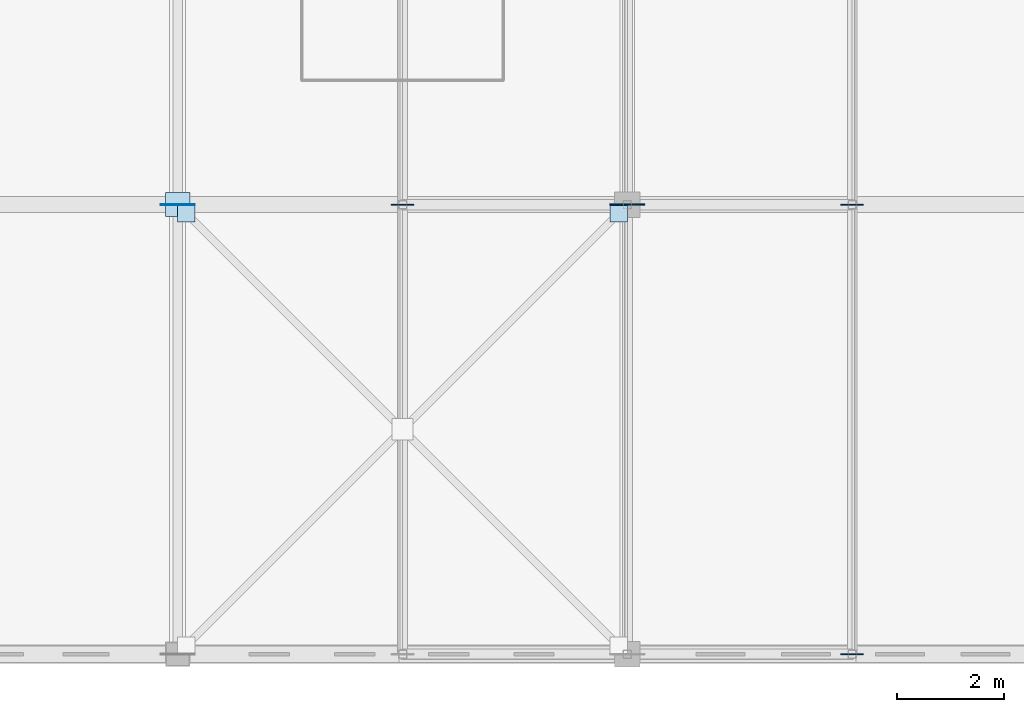
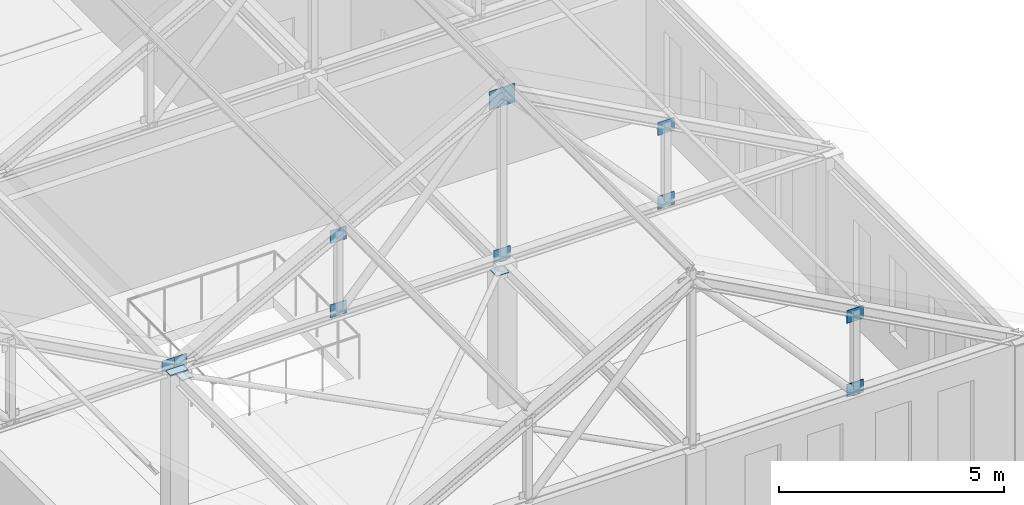
# One storey, part 19 of 36: 13 plates.
"""IFC4 building model written with IfcOpenShell, lengths in metres."""

from ifc_helpers import new_model, si_unit, direction, frame, origin, origin_2d, place, context, subcontext, project, spatial, rectangle, extrude, material, layer, layer_set, type_object, element, save


model = new_model("IFC4")

# Units and contexts
model_context = context("Model", 3, precision=1e-05, world=origin(), true_north=direction((0.0, 1.0)))
body_context = subcontext(model_context, "Body", "Model", "MODEL_VIEW")
ifc_project = project(units=[si_unit("LENGTHUNIT", "METRE"), si_unit("AREAUNIT", "SQUARE_METRE"), si_unit("VOLUMEUNIT", "CUBIC_METRE"), si_unit("PLANEANGLEUNIT", "RADIAN"), si_unit("MASSUNIT", "GRAM", prefix="KILO")], contexts=[model_context])

# Site, building, storey
site_placement = place(None, origin())
site = spatial("IfcSite", under=ifc_project, at=site_placement, CompositionType="ELEMENT")
building_placement = place(site_placement, origin())
building = spatial("IfcBuilding", under=site, at=building_placement, Name="Kveldsbrygga Polytechnic", CompositionType="ELEMENT")
storey_placement = place(building_placement, frame((0.0, 0.0, 26.179931640625)))
storey = spatial("IfcBuildingStorey", under=building, at=storey_placement, Name="L06", CompositionType="ELEMENT", Elevation=26.179931640625)

# Plates
ifc_material = material(Name="Steel S355", Category="steel")
ifc_layer_1 = layer(ifc_material, 0.030029296875)
ifc_layer_set_1 = layer_set([ifc_layer_1], Name="Steel S355")
plate_type_1 = type_object("IfcPlateType", Name="CAP-BEAR-450", PredefinedType="SHEET", material=ifc_layer_set_1)
plate_1_placement = place(storey_placement, frame((142.800048828125, 25.199951171875, 3.81005859375), z_axis=(0.0, 0.0, 1.0), x_axis=(1.0, 0.0, 0.0)))
element("IfcPlate", 1, at=plate_1_placement, inside=storey, type_object=plate_type_1, Name="Truss Bearing Plate V4M1-T02-B", PredefinedType="SHEET", context=body_context, shape_type="SweptSolid", body=[
    extrude(rectangle(XDim=0.449951171875, YDim=0.449951171875, at=origin_2d()), origin(), (0.0, 0.0, 1.0), 0.030029296875),
])
ifc_layer_2 = layer(ifc_material, 0.02490234375)
ifc_layer_set_2 = layer_set([ifc_layer_2], Name="Steel S355")
plate_type_2 = type_object("IfcPlateType", Name="GUS-APEX-650", PredefinedType="SHEET", material=ifc_layer_set_2)
plate_2_placement = place(storey_placement, frame((151.199951171875, 25.199951171875, 7.989990234375), z_axis=(0.0, 0.0, 1.0), x_axis=(1.0, 0.0, 0.0)))
element("IfcPlate", 2, at=plate_2_placement, inside=storey, type_object=plate_type_2, Name="Truss Gusset Plate V4M2-T02-GP-2", PredefinedType="SHEET", context=body_context, shape_type="SweptSolid", body=[
    extrude(rectangle(XDim=0.64990234375, YDim=0.02490234375, at=origin_2d()), origin(), (0.0, 0.0, 1.0), 0.5),
])
ifc_layer_3 = layer(ifc_material, 0.01806640625)
ifc_layer_set_3 = layer_set([ifc_layer_3], Name="Steel S355")
plate_type_3 = type_object("IfcPlateType", Name="GUS-BRACE-320", PredefinedType="SHEET", material=ifc_layer_set_3)
for number, where, z_axis, x_axis, name in (
    (3, (142.639892578125, 25.199951171875, 3.7998046875), (0.0, 0.0, 1.0), (1.0, 0.0, 0.0), "Truss Eaves Node Gusset V4M1-T02-EGP-B"),
    (4, (142.9599609375, 25.199951171875, 3.7998046875), (0.0, 0.0, 1.0), (1.0, 0.0, 0.0), "Truss Eaves Node Gusset V4M2-T02-EGP-A"),
):
    element("IfcPlate", number, at=place(storey_placement, frame(where, z_axis=z_axis, x_axis=x_axis)), inside=storey, type_object=plate_type_3, Name=name, PredefinedType="SHEET", context=body_context, shape_type="SweptSolid", body=[
        extrude(rectangle(XDim=0.320068359375, YDim=0.01806640625, at=origin_2d()), origin(), (0.0, 0.0, 1.0), 0.320068359375),
    ])
for number, where, z_axis, x_axis, name in (
    (5, (151.0400390625, 25.0400390625, 3.6611328125), (0.0, 0.0, 1.0), (1.0, 0.0, 0.0), "Attic Brace End Gusset XGP-RBR-17-2-2"),
    (6, (142.9599609375, 25.0400390625, 3.6611328125), (0.0, 0.0, 1.0), (1.0, 0.0, 0.0), "Attic Brace End Gusset XGP-RBR-17-2-3"),
):
    element("IfcPlate", number, at=place(storey_placement, frame(where, z_axis=z_axis, x_axis=x_axis)), inside=storey, type_object=plate_type_3, Name=name, PredefinedType="SHEET", context=body_context, shape_type="SweptSolid", body=[
        extrude(rectangle(XDim=0.320068359375, YDim=0.320068359375, at=origin_2d()), origin(), (0.0, 0.0, 1.0), 0.01806640625),
    ])
ifc_layer_4 = layer(ifc_material, 0.02001953125)
ifc_layer_set_4 = layer_set([ifc_layer_4], Name="Steel S355")
plate_type_4 = type_object("IfcPlateType", Name="GUS-LECT-420", PredefinedType="SHEET", material=ifc_layer_set_4)
for number, where, z_axis, x_axis, name in (
    (7, (155.39990234375, 16.800048828125, 5.7900390625), (0.0, 0.0, 1.0), (1.0, 0.0, 0.0), "Truss Gusset Plate V4M2-T01-GP-3"),
    (8, (155.39990234375, 16.800048828125, 3.784912109375), (0.0, 0.0, 1.0), (1.0, 0.0, 0.0), "Truss Bottom-Chord Node Gusset V4M2-T01-BGP-3"),
    (9, (147.0, 25.199951171875, 5.7900390625), (0.0, 0.0, 1.0), (1.0, 0.0, 0.0), "Truss Gusset Plate V4M2-T02-GP-1"),
    (10, (147.0, 25.199951171875, 3.784912109375), (0.0, 0.0, 1.0), (1.0, 0.0, 0.0), "Truss Bottom-Chord Node Gusset V4M2-T02-BGP-1"),
    (11, (151.199951171875, 25.199951171875, 3.784912109375), (0.0, 0.0, 1.0), (1.0, 0.0, 0.0), "Truss Bottom-Chord Node Gusset V4M2-T02-BGP-2"),
    (12, (155.39990234375, 25.199951171875, 5.7900390625), (0.0, 0.0, 1.0), (1.0, 0.0, 0.0), "Truss Gusset Plate V4M2-T02-GP-3"),
    (13, (155.39990234375, 25.199951171875, 3.784912109375), (0.0, 0.0, 1.0), (1.0, 0.0, 0.0), "Truss Bottom-Chord Node Gusset V4M2-T02-BGP-3"),
):
    element("IfcPlate", number, at=place(storey_placement, frame(where, z_axis=z_axis, x_axis=x_axis)), inside=storey, type_object=plate_type_4, Name=name, PredefinedType="SHEET", context=body_context, shape_type="SweptSolid", body=[
        extrude(rectangle(XDim=0.419921875, YDim=0.02001953125, at=origin_2d()), origin(), (0.0, 0.0, 1.0), 0.35009765625),
    ])

save(model, "model.ifc")
